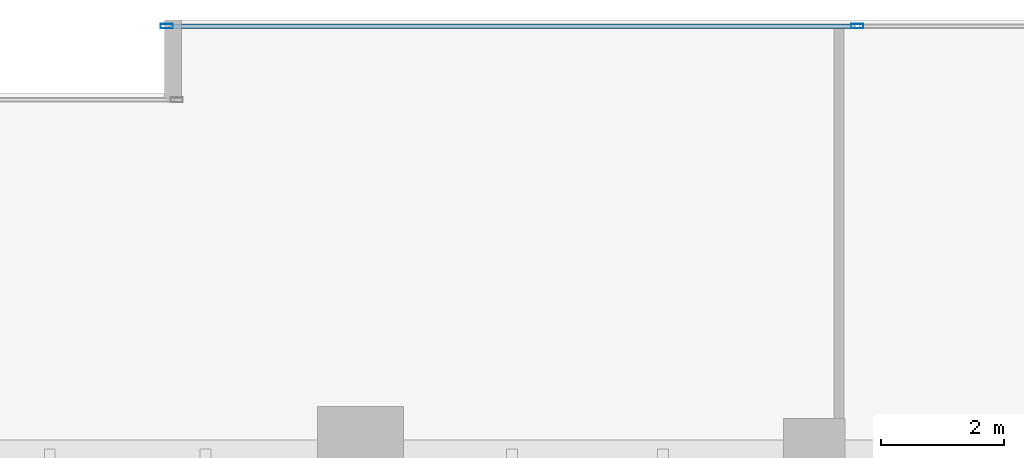
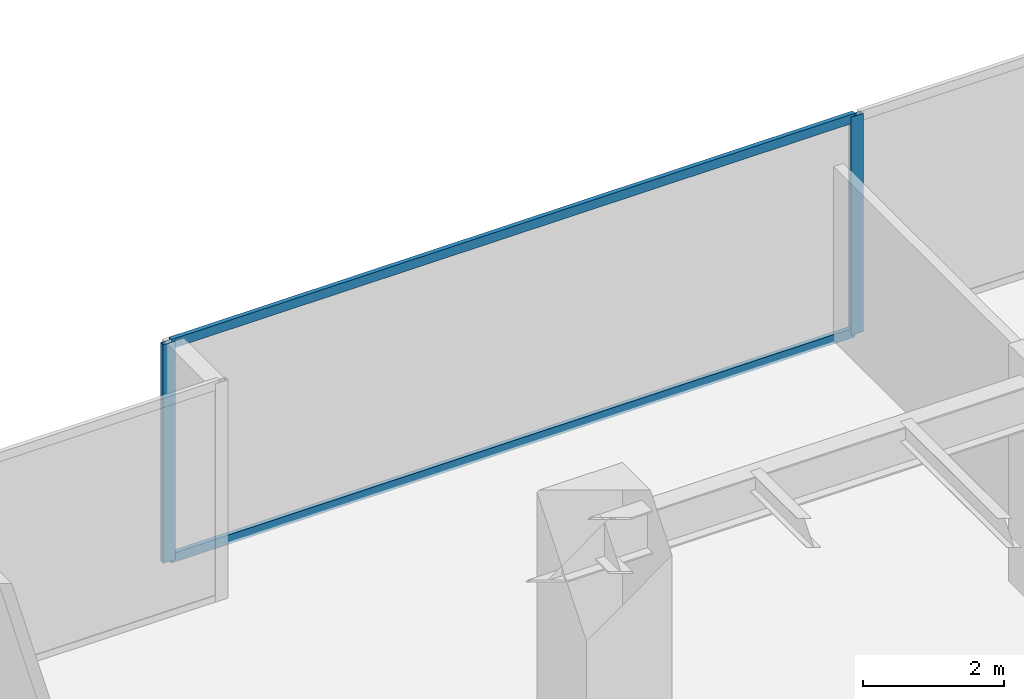
# One storey, part 22 of 35: 4 members, 1 element without a shape of its own.
"""IFC4 building model written with IfcOpenShell, lengths in metres."""

from ifc_helpers import new_model, si_unit, direction, frame, origin, origin_2d, place, context, subcontext, project, spatial, hollow_rectangle, extrude, source, transform, mapped, material, layer, layer_set, material_profile, profile_set, type_object, type_shapes, element, aggregate, save


model = new_model("IFC4")

# Units and contexts
model_context = context("Model", 3, precision=1e-05, world=origin(), true_north=direction((0.0, 1.0)))
body_context = subcontext(model_context, "Body", "Model", "MODEL_VIEW")
ifc_project = project(units=[si_unit("LENGTHUNIT", "METRE"), si_unit("AREAUNIT", "SQUARE_METRE"), si_unit("VOLUMEUNIT", "CUBIC_METRE"), si_unit("PLANEANGLEUNIT", "RADIAN"), si_unit("MASSUNIT", "GRAM", prefix="KILO")], contexts=[model_context])

# Site, building, storey
site_placement = place(None, origin())
site = spatial("IfcSite", under=ifc_project, at=site_placement, CompositionType="ELEMENT")
building_placement = place(site_placement, origin())
building = spatial("IfcBuilding", under=site, at=building_placement, Name="Haelvirn Gate Laboratories", CompositionType="ELEMENT")
storey_placement = place(building_placement, frame((0.0, 0.0, 66.199951171875)))
storey = spatial("IfcBuildingStorey", under=building, at=storey_placement, Name="L16", CompositionType="ELEMENT", Elevation=66.199951171875)

# Curtain wall, members
ifc_material_1 = material(Name="Anodised bronze unitised aluminium & triple low-E glass", Category="aluminium")
ifc_layer = layer(ifc_material_1, 0.18408203125, Name="CW-SYS-2")
ifc_layer_set = layer_set([ifc_layer], Name="Anodised bronze unitised aluminium & triple low-E glass")
curtain_wall_type = type_object("IfcCurtainWallType", Name="CW-SYS-2", PredefinedType="NOTDEFINED", material=ifc_layer_set)
curtain_wall_placement = place(storey_placement, origin())
curtain_wall = element("IfcCurtainWall", 1, at=curtain_wall_placement, inside=storey, type_object=curtain_wall_type, Name="L16 Unitised Curtain Wall CW-L16-P0-E10-1", PredefinedType="NOTDEFINED")
ifc_material_2 = material(Name="Extruded aluminium 6063-T6 (anodised bronze)", Category="aluminium")
ifc_material_profile_1 = material_profile(ifc_material_2, hollow_rectangle(XDim=0.074951171875, YDim=0.199951171875, WallThickness=0.0048828125, at=origin_2d()), Name="CWM-200x75x5")
ifc_profile_set_1 = profile_set([ifc_material_profile_1], Name="Extruded aluminium 6063-T6 (anodised bronze)")
member_type_1 = type_object("IfcMemberType", Name="CWM-T200", PredefinedType="MULLION", material=ifc_profile_set_1)
shared_shape_1 = source(origin(), body_context, "Body", "SweptSolid", [
    extrude(hollow_rectangle(XDim=0.074951171875, YDim=0.199951171875, WallThickness=0.0048828125, at=origin_2d()), origin(), (0.0, 0.0, 1.0), 3.780029296875),
])
type_shapes(member_type_1, [shared_shape_1])
member_1_placement = place(storey_placement, frame((49.4375, 48.5, 0.0), z_axis=(0.0, 0.0, 1.0), x_axis=(0.0, 1.0, 0.0)))
member_1 = element("IfcMember", 2, at=member_1_placement, type_object=member_type_1, Name="CW2 mullion 1", PredefinedType="MULLION", context=body_context, shape_type="MappedRepresentation", body=[
    mapped(shared_shape_1, transform((0.0, 0.0, 0.0), scale=1.0)),
])
member_2_placement = place(storey_placement, frame((60.699951171875, 48.5, 0.0), z_axis=(0.0, 0.0, 1.0), x_axis=(0.0, 1.0, 0.0)))
member_2 = element("IfcMember", 3, at=member_2_placement, type_object=member_type_1, Name="CW2 mullion 2", PredefinedType="MULLION", context=body_context, shape_type="MappedRepresentation", body=[
    mapped(shared_shape_1, transform((0.0, 0.0, 0.0), scale=1.0)),
])
ifc_material_profile_2 = material_profile(ifc_material_2, hollow_rectangle(XDim=0.070068359375, YDim=0.159912109375, WallThickness=0.0048828125, at=origin_2d()), Name="CWT-160x70x5")
ifc_profile_set_2 = profile_set([ifc_material_profile_2], Name="Extruded aluminium 6063-T6 (anodised bronze)")
member_type_2 = type_object("IfcMemberType", Name="CWT-T160", PredefinedType="USERDEFINED", material=ifc_profile_set_2)
shared_shape_2 = source(origin(), body_context, "Body", "SweptSolid", [
    extrude(hollow_rectangle(XDim=0.070068359375, YDim=0.159912109375, WallThickness=0.0048828125, at=origin_2d()), origin(), (0.0, 0.0, 1.0), 11.1875),
])
type_shapes(member_type_2, [shared_shape_2])
member_3_placement = place(storey_placement, frame((49.47509765625, 48.5, 0.03515625), z_axis=(1.0, 0.0, 0.0), x_axis=(0.0, 1.0, 0.0)))
member_3 = element("IfcMember", 4, at=member_3_placement, type_object=member_type_2, Name="CW2 transom 1.1", ObjectType="TRANSOM", PredefinedType="USERDEFINED", context=body_context, shape_type="MappedRepresentation", body=[
    mapped(shared_shape_2, transform((0.0, 0.0, 0.0), scale=1.0)),
])
member_4_placement = place(storey_placement, frame((49.47509765625, 48.5, 3.7451171875), z_axis=(1.0, 0.0, 0.0), x_axis=(0.0, 1.0, 0.0)))
member_4 = element("IfcMember", 5, at=member_4_placement, type_object=member_type_2, Name="CW2 transom 1.2", ObjectType="TRANSOM", PredefinedType="USERDEFINED", context=body_context, shape_type="MappedRepresentation", body=[
    mapped(shared_shape_2, transform((0.0, 0.0, 0.0), scale=1.0)),
])
aggregate(curtain_wall, [member_1, member_2, member_3, member_4])

save(model, "model.ifc")
